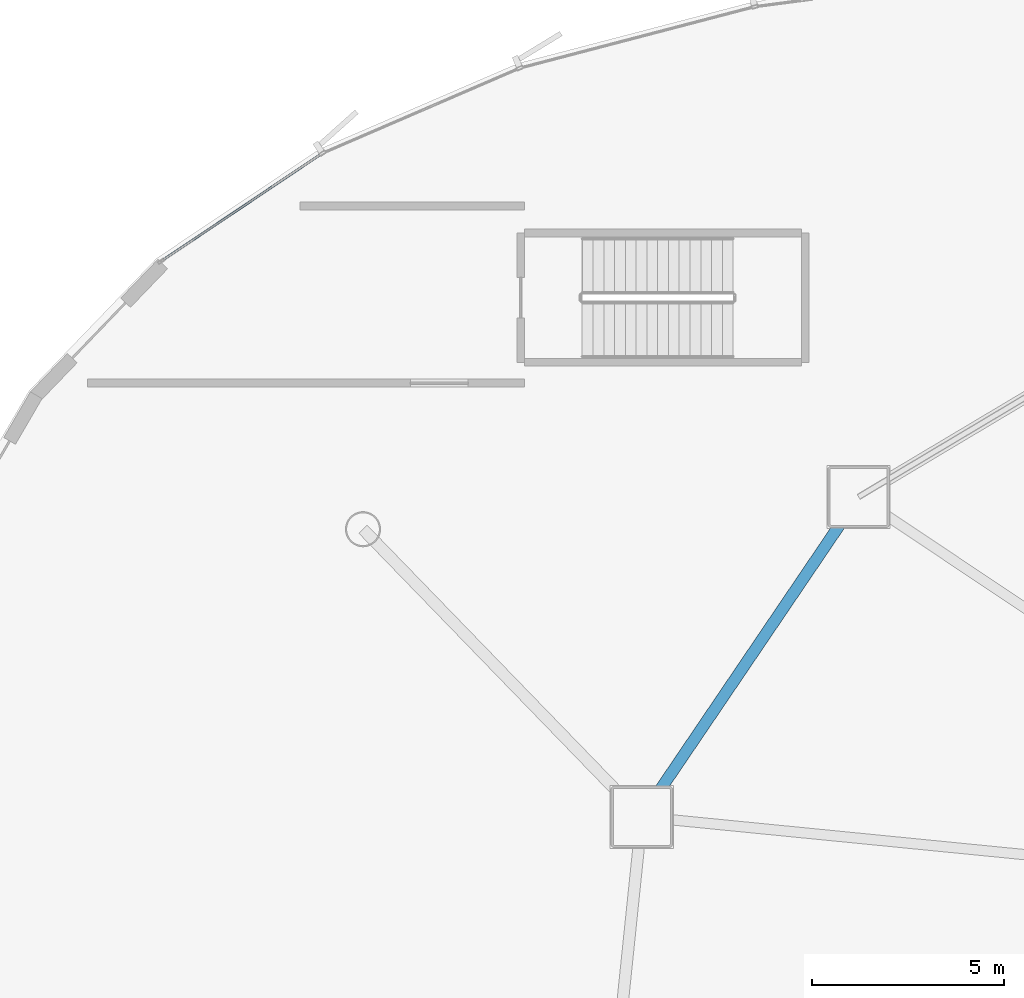
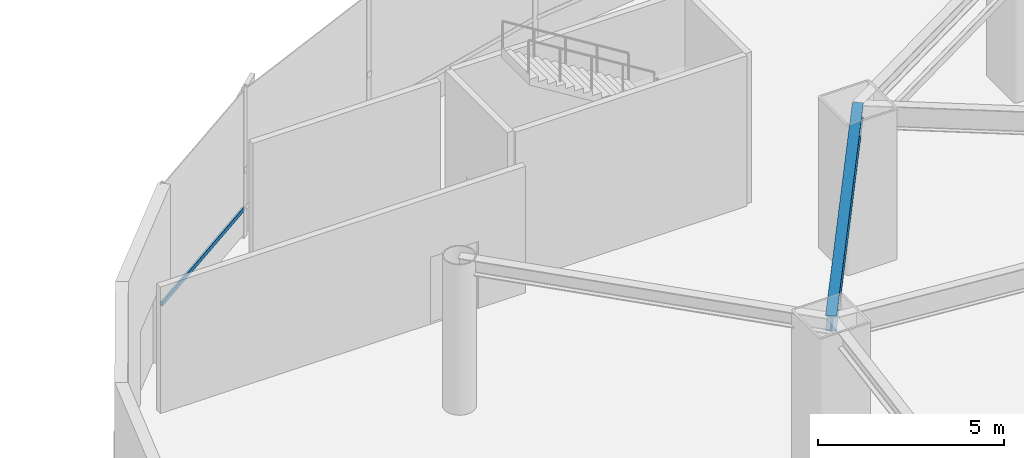
# One storey, part 8 of 35: 1 beam, 1 member, 1 element without a shape of its own.
"""IFC4 building model written with IfcOpenShell, lengths in metres."""

from ifc_helpers import new_model, si_unit, direction, frame, origin, origin_2d, place, context, subcontext, project, spatial, hollow_rectangle, i_section, extrude, source, transform, mapped, material, layer, layer_set, material_profile, profile_set, type_object, element, aggregate, save


model = new_model("IFC4")

# Units and contexts
model_context = context("Model", 3, precision=1e-05, world=origin(), true_north=direction((0.0, 1.0)))
body_context = subcontext(model_context, "Body", "Model", "MODEL_VIEW")
ifc_project = project(units=[si_unit("LENGTHUNIT", "METRE"), si_unit("AREAUNIT", "SQUARE_METRE"), si_unit("VOLUMEUNIT", "CUBIC_METRE"), si_unit("PLANEANGLEUNIT", "RADIAN"), si_unit("MASSUNIT", "GRAM", prefix="KILO"), si_unit("THERMODYNAMICTEMPERATUREUNIT", "KELVIN")], contexts=[model_context])

# Site, building, storey
site_placement = place(None, origin())
site = spatial("IfcSite", under=ifc_project, at=site_placement, CompositionType="ELEMENT")
building_placement = place(site_placement, origin())
building = spatial("IfcBuilding", under=site, at=building_placement, Name="Kethvar Cultural Tower", CompositionType="ELEMENT")
storey_placement = place(building_placement, origin())
storey = spatial("IfcBuildingStorey", under=building, at=storey_placement, Name="L00", CompositionType="ELEMENT", Elevation=0.0)

# Beam
ifc_material_1 = material(Name="Steel S355J2", Category="steel")
ifc_material_profile_1 = material_profile(ifc_material_1, i_section(OverallWidth=0.300048828125, OverallDepth=0.5, WebThickness=0.014404296875, FlangeThickness=0.028076171875, FilletRadius=0.027099609375, at=origin_2d()), Name="Steel S355J2 — HEB500")
ifc_profile_set_1 = profile_set([ifc_material_profile_1], Name="Steel S355J2 — HEB500")
beam_type = type_object("IfcBeamType", Name="BM-SP500", PredefinedType="SPANDREL", material=ifc_profile_set_1)
shared_shape_1 = source(origin(), body_context, "Body", "SweptSolid", [
    extrude(i_section(OverallWidth=0.300048828125, OverallDepth=0.5, WebThickness=0.014404296875, FlangeThickness=0.028076171875, FilletRadius=0.027099609375, at=origin_2d()), origin(), (0.0, 0.0, 1.0), 10.048583984375),
])
beam_placement = place(storey_placement, frame((26.6845703125, 41.24072265625, 4.697998046875), z_axis=(-0.561025415443, -0.827798576483, 0.0), x_axis=(0.827798576483, -0.561025415443, 0.0)))
element("IfcBeam", 1, at=beam_placement, inside=storey, type_object=beam_type, Name="L00 Podium Ring Beam 07", PredefinedType="SPANDREL", context=body_context, shape_type="MappedRepresentation", body=[
    mapped(shared_shape_1, transform((0.0, 0.0, 0.0), scale=1.0)),
])

# Curtain wall, member
ifc_material_2 = material(Name="Aluminium 6063-T6", Category="aluminium")
ifc_layer = layer(ifc_material_2, 0.179931640625, Name="Aluminium 6063-T6", Category="aluminium")
ifc_layer_set = layer_set([ifc_layer], Name="Aluminium 6063-T6 (180 mm)")
curtain_wall_type = type_object("IfcCurtainWallType", Name="CW-SYS-01-POD", PredefinedType="NOTDEFINED", material=ifc_layer_set)
curtain_wall_placement = place(storey_placement, origin())
curtain_wall = element("IfcCurtainWall", 2, at=curtain_wall_placement, inside=storey, type_object=curtain_wall_type, Name="L00 Curtain Wall Run 02", PredefinedType="NOTDEFINED")
ifc_material_profile_2 = material_profile(ifc_material_2, hollow_rectangle(XDim=0.06005859375, YDim=0.139892578125, WallThickness=0.0048828125, at=origin_2d()), Name="Aluminium 6063-T6 — RHS140x60x5")
ifc_profile_set_2 = profile_set([ifc_material_profile_2], Name="Aluminium 6063-T6 — RHS140x60x5")
member_type = type_object("IfcMemberType", Name="CW-SYS-01-POD-TRN", PredefinedType="USERDEFINED", material=ifc_profile_set_2)
shared_shape_2 = source(origin(), body_context, "Body", "SweptSolid", [
    extrude(hollow_rectangle(XDim=0.06005859375, YDim=0.139892578125, WallThickness=0.0048828125, at=origin_2d()), origin(), (0.0, 0.0, 1.0), 4.991455078125),
])
member_placement = place(storey_placement, frame((12.701171875, 50.14599609375, 0.949951171875), z_axis=(-0.830806616573, -0.556561196867, 0.0), x_axis=(0.556561196867, -0.830806616573, 0.0)))
member = element("IfcMember", 3, at=member_placement, type_object=member_type, Name="CW-L00-R02 Transom 6", ObjectType="TRANSOM", PredefinedType="USERDEFINED", context=body_context, shape_type="MappedRepresentation", body=[
    mapped(shared_shape_2, transform((0.0, 0.0, 0.0), scale=1.0)),
])
aggregate(curtain_wall, [member])

save(model, "model.ifc")
